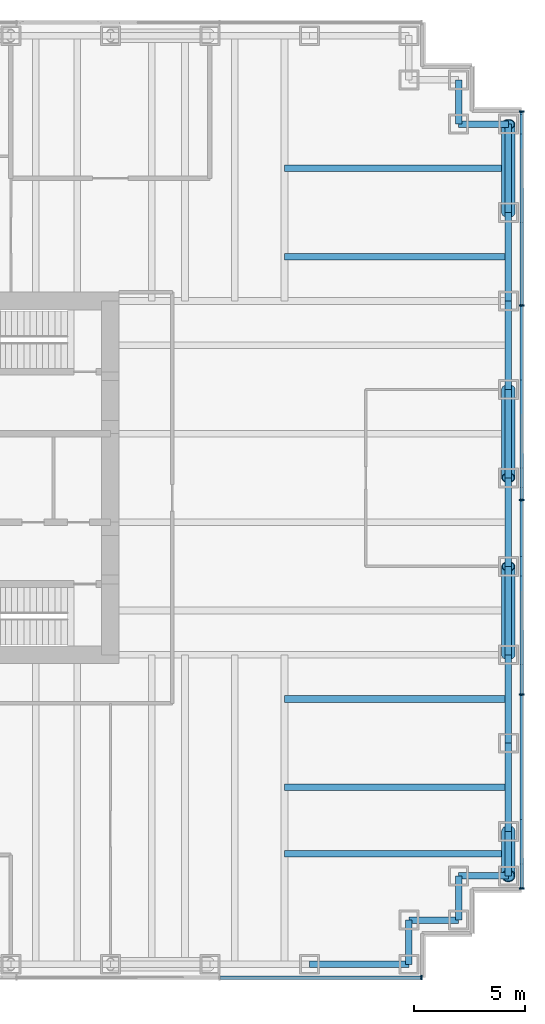
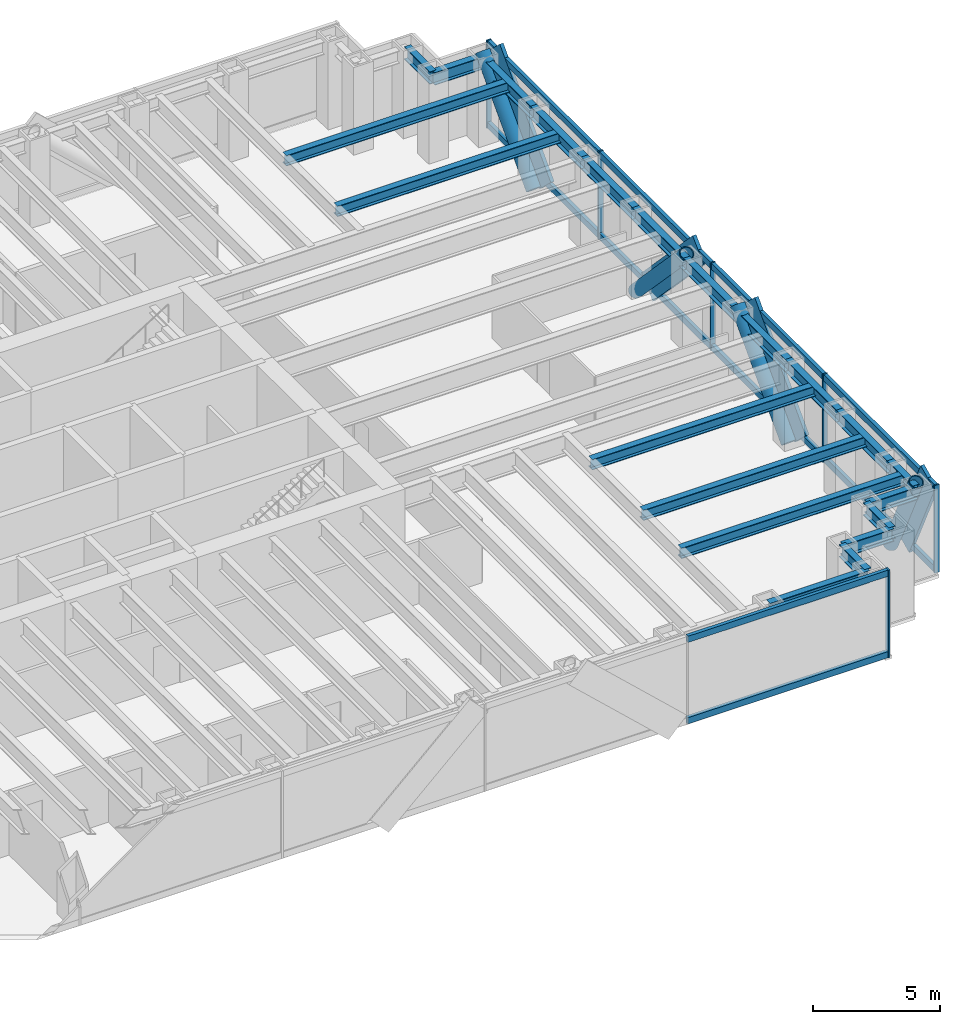
# One storey, part 7 of 14: 24 members, 21 beams, 2 elements without a shape of their own.
"""IFC4 building model written with IfcOpenShell, lengths in metres."""

import ifcopenshell
import ifcopenshell.guid

model = None  # the IFC model being written
_history = None  # IfcOwnerHistory: only IFC2X3 demands one
_inside = {}  # id of a spatial element -> (the spatial element, [elements in it])
_under = {}  # id of a project, library or spatial element -> (it, [spatial elements below it])
_declared = {}  # id of a project -> (the project, [libraries it declares])
_typed = {}  # id of a type object -> (the type object, [elements of that type])
_made_of = {}  # id of a material, layer set ... -> (it, [elements and type objects made of it])


def new_model(schema):
    """Start an empty IFC model of exactly this schema.

    Asked for "IFC4X3", IfcOpenShell would pick the latest addendum, in which some entities
    have other attributes; the version numbers below select the first issue.
    IFC2X3 requires an IfcOwnerHistory on every rooted entity: one is made here for all.
    """
    global model, _history
    if schema == "IFC4X3":
        model = ifcopenshell.file(schema_version=(4, 3, 0, 0))
    else:
        model = ifcopenshell.file(schema=schema)
    _inside.clear()
    _under.clear()
    _declared.clear()
    _typed.clear()
    _made_of.clear()
    _history = None
    if model.schema == "IFC2X3":
        org = make("IfcOrganization", Name="unknown")
        user = make(
            "IfcPersonAndOrganization",
            ThePerson=make("IfcPerson", FamilyName="unknown"),
            TheOrganization=org,
        )
        app = make(
            "IfcApplication",
            ApplicationDeveloper=org,
            Version="unknown",
            ApplicationFullName="unknown",
            ApplicationIdentifier="unknown",
        )
        _history = make(
            "IfcOwnerHistory",
            OwningUser=user,
            OwningApplication=app,
            ChangeAction="ADDED",
            CreationDate=0,
        )
    return model


def make(cls, **values):
    """One entity of the class cls with the attributes given. An attribute that is None is left unset."""
    return model.create_entity(
        cls, **{name: value for name, value in values.items() if value is not None}
    )


def rooted(cls, **values):
    """An entity with a GlobalId (a new one), such as an element, a storey or a relation."""
    return make(cls, GlobalId=ifcopenshell.guid.new(), OwnerHistory=_history, **values)


def si_unit(unit_type, name, prefix=None):
    """IfcSIUnit, for example si_unit("LENGTHUNIT", "METRE", prefix="MILLI")."""
    return make("IfcSIUnit", UnitType=unit_type, Prefix=prefix, Name=name)


def assignment(units):
    """IfcUnitAssignment: the units of a project."""
    return None if units is None else make("IfcUnitAssignment", Units=units)


def point(xyz):
    """IfcCartesianPoint."""
    return None if xyz is None else make("IfcCartesianPoint", Coordinates=xyz)


def direction(xyz):
    """IfcDirection."""
    return None if xyz is None else make("IfcDirection", DirectionRatios=xyz)


def frame(location, z_axis=None, x_axis=None):
    """IfcAxis2Placement3D, a coordinate frame: its origin and axes. An axis left out is left unset."""
    return make(
        "IfcAxis2Placement3D",
        Location=point(location),
        Axis=direction(z_axis),
        RefDirection=direction(x_axis),
    )


def frame_2d(location, x_axis=None):
    """IfcAxis2Placement2D, a coordinate frame in the plane: its origin and x axis."""
    return make(
        "IfcAxis2Placement2D", Location=point(location), RefDirection=direction(x_axis)
    )


def origin():
    """The frame at (0, 0, 0) with its axes left unset."""
    return frame((0.0, 0.0, 0.0))


def origin_2d():
    """The frame at (0, 0) in the plane with its x axis left unset."""
    return frame_2d((0.0, 0.0))


def place(relative_to, where):
    """IfcLocalPlacement: puts the frame where relative to a parent placement (None: the world)."""
    return make(
        "IfcLocalPlacement", PlacementRelTo=relative_to, RelativePlacement=where
    )


def context(
    kind, dimensions, precision=None, world=None, true_north=None, identifier=None
):
    """IfcGeometricRepresentationContext, for example the 3D "Model" context."""
    return make(
        "IfcGeometricRepresentationContext",
        ContextIdentifier=identifier,
        ContextType=kind,
        CoordinateSpaceDimension=dimensions,
        Precision=precision,
        WorldCoordinateSystem=world,
        TrueNorth=true_north,
    )


def subcontext(parent, identifier, kind, view, scale=None):
    """IfcGeometricRepresentationSubContext, for example "Body" below "Model"."""
    return make(
        "IfcGeometricRepresentationSubContext",
        ContextIdentifier=identifier,
        ContextType=kind,
        ParentContext=parent,
        TargetScale=scale,
        TargetView=view,
    )


def project(units=None, contexts=None):
    """IfcProject with its units and contexts."""
    return rooted(
        "IfcProject",
        Name="project",
        RepresentationContexts=contexts,
        UnitsInContext=assignment(units),
    )


def spatial(cls, under=None, at=None, **own):
    """A site, building, storey or space (cls), placed at a placement, below another one or the project."""
    s = rooted(cls, ObjectPlacement=at, **own)
    if under is not None:
        _under.setdefault(under.id(), (under, []))[1].append(s)
    return s


def profile(cls, at=None, kind="AREA", **sizes):
    """A parametric profile (cls). Its sizes go by their IFC names, for example OverallWidth=200.0."""
    return make(cls, ProfileType=kind, Position=at, **sizes)


def rectangle(**sizes):
    """IfcRectangleProfileDef."""
    return profile("IfcRectangleProfileDef", **sizes)


def hollow_circle(**sizes):
    """IfcCircleHollowProfileDef."""
    return profile("IfcCircleHollowProfileDef", **sizes)


def i_section(**sizes):
    """IfcIShapeProfileDef."""
    return profile("IfcIShapeProfileDef", **sizes)


def extrude(swept, where, along, depth):
    """IfcExtrudedAreaSolid: the profile swept, set in the frame where, extruded along a direction by depth."""
    return make(
        "IfcExtrudedAreaSolid",
        SweptArea=swept,
        Position=where,
        ExtrudedDirection=direction(along),
        Depth=depth,
    )


def shape(context_of_items, identifier, shape_type, items):
    """IfcShapeRepresentation: the items that make up one representation, for example the "Body"."""
    return make(
        "IfcShapeRepresentation",
        ContextOfItems=context_of_items,
        RepresentationIdentifier=identifier,
        RepresentationType=shape_type,
        Items=items,
    )


def material(Name=None, Category=None):
    """IfcMaterial."""
    return make("IfcMaterial", Name=Name, Category=Category)


def material_profile(
    of_material, cross_section, Name=None, Category=None, Priority=None
):
    """IfcMaterialProfile: a cross section and its material."""
    return make(
        "IfcMaterialProfile",
        Name=Name,
        Material=of_material,
        Profile=cross_section,
        Priority=Priority,
        Category=Category,
    )


def profile_set(profiles, Name=None, composite=None):
    """IfcMaterialProfileSet."""
    return make(
        "IfcMaterialProfileSet",
        Name=Name,
        MaterialProfiles=profiles,
        CompositeProfile=composite,
    )


def made_of(thing, what):
    """Note that an element or type object is made of a material, layer set ...; save() writes the relation."""
    if what is not None:
        _made_of.setdefault(what.id(), (what, []))[1].append(thing)
    return thing


def type_object(cls, material=None, **own):
    """A type object (cls), such as IfcWallType, which elements share."""
    return made_of(rooted(cls, **own), material)


def element(
    cls,
    number,
    at=None,
    inside=None,
    cuts=None,
    type_object=None,
    material=None,
    context=None,
    identifier="Body",
    shape_type=None,
    held_by="IfcProductDefinitionShape",
    body=None,
    shapes=None,
    **own,
):
    """One element of the class cls, such as IfcWall. Its Tag is "e" and its number.

    at: its placement. inside: the storey or other place that contains it. cuts: it is an
    opening in that element (IfcRelVoidsElement). A single representation is given by context,
    identifier, shape_type and body (its items); several are given by shapes. held_by: the class
    of the entity that holds the representations. save() writes the other relations.
    """
    e = rooted(cls, Tag="e%d" % number, ObjectPlacement=at, **own)
    if body is not None:
        shapes = [shape(context, identifier, shape_type, body)]
    if shapes is not None:
        e.Representation = make(held_by, Representations=shapes)
    if inside is not None:
        _inside.setdefault(inside.id(), (inside, []))[1].append(e)
    if cuts is not None:
        rooted(
            "IfcRelVoidsElement", RelatingBuildingElement=cuts, RelatedOpeningElement=e
        )
    if type_object is not None:
        _typed.setdefault(type_object.id(), (type_object, []))[1].append(e)
    return made_of(e, material)


def aggregate(whole, parts):
    """IfcRelAggregates: a whole, such as a stair, and the parts it consists of."""
    return rooted("IfcRelAggregates", RelatingObject=whole, RelatedObjects=parts)


def save(model, path):
    """Write the relations noted so far, then the file.

    IfcRelAggregates (storeys below a building ...), IfcRelContainedInSpatialStructure (elements
    in a storey), IfcRelDefinesByType, IfcRelAssociatesMaterial and IfcRelDeclares: one each for
    every whole, place, type object, material and project.
    """
    for whole, parts in _under.values():
        aggregate(whole, parts)
    for where, things in _inside.values():
        rooted(
            "IfcRelContainedInSpatialStructure",
            RelatedElements=things,
            RelatingStructure=where,
        )
    for kind, things in _typed.values():
        rooted("IfcRelDefinesByType", RelatedObjects=things, RelatingType=kind)
    for what, things in _made_of.values():
        rooted("IfcRelAssociatesMaterial", RelatedObjects=things, RelatingMaterial=what)
    for by, libraries in _declared.values():
        rooted("IfcRelDeclares", RelatingContext=by, RelatedDefinitions=libraries)
    model.write(path)


model = new_model("IFC4")

# Units and contexts
model_context = context("Model", 3, precision=1e-05, world=origin(), true_north=direction((0.0, 1.0)))
body_context = subcontext(model_context, "Body", "Model", "MODEL_VIEW")
ifc_project = project(units=[si_unit("LENGTHUNIT", "METRE"), si_unit("AREAUNIT", "SQUARE_METRE"), si_unit("VOLUMEUNIT", "CUBIC_METRE"), si_unit("PLANEANGLEUNIT", "RADIAN"), si_unit("MASSUNIT", "GRAM", prefix="KILO")], contexts=[model_context])

# Site, building, storey
site_placement = place(None, origin())
site = spatial("IfcSite", under=ifc_project, at=site_placement, CompositionType="ELEMENT")
building_placement = place(site_placement, origin())
building = spatial("IfcBuilding", under=site, at=building_placement, Name="Rheinbord Bourse Tower", CompositionType="ELEMENT")
storey_placement = place(building_placement, frame((0.0, 0.0, 194.199951171875)))
storey = spatial("IfcBuildingStorey", under=building, at=storey_placement, Name="L43", CompositionType="ELEMENT", Elevation=194.199951171875)

# Curtain wall, members
ifc_material_1 = material(Name="Dark glass and black aluminium", Category="aluminium")
curtain_wall_type = type_object("IfcCurtainWallType", Name="CW2 DARK GLASS CURTAIN WALL", PredefinedType="USERDEFINED", material=ifc_material_1)
curtain_wall_1_placement = place(storey_placement, origin())
curtain_wall_1 = element("IfcCurtainWall", 1, at=curtain_wall_1_placement, inside=storey, type_object=curtain_wall_type, Name="Curtain wall CW2 E L43", ObjectType="UNITISED CURTAIN WALL", PredefinedType="USERDEFINED")
ifc_material_2 = material(Name="Black anodised aluminium", Category="aluminium")
ifc_material_profile_1 = material_profile(ifc_material_2, rectangle(XDim=0.159912109375, YDim=1.2099609375, at=origin_2d()), Name="CW2 DIAGONAL MULLION 1210x160")
ifc_profile_set_1 = profile_set([ifc_material_profile_1], Name="Black anodised aluminium")
member_type_1 = type_object("IfcMemberType", Name="CW2 BLACK DIAGONAL MULLION", PredefinedType="USERDEFINED", material=ifc_profile_set_1)
member_1_placement = place(storey_placement, frame((72.60009765625, 36.0, 0.0), z_axis=(0.0, 0.689659376744, 0.724133926887), x_axis=(-1.0, 0.0, 0.0)))
member_1 = element("IfcMember", 2, at=member_1_placement, type_object=member_type_1, Name="CW2 diagonal mullion a", ObjectType="DIAGONAL MULLION", PredefinedType="USERDEFINED", context=body_context, shape_type="SweptSolid", body=[
    extrude(rectangle(XDim=0.159912109375, YDim=1.2099609375, at=origin_2d()), origin(), (0.0, 0.0, 1.0), 5.800048828125),
])
member_2_placement = place(storey_placement, frame((72.60009765625, 8.0, 0.0), z_axis=(0.0, -0.429937654825, 0.902858578607), x_axis=(1.0, 0.0, 0.0)))
member_2 = element("IfcMember", 3, at=member_2_placement, type_object=member_type_1, Name="CW2 diagonal mullion b", ObjectType="DIAGONAL MULLION", PredefinedType="USERDEFINED", context=body_context, shape_type="SweptSolid", body=[
    extrude(rectangle(XDim=0.159912109375, YDim=1.2099609375, at=origin_2d()), origin(), (0.0, 0.0, 1.0), 4.65185546875),
])
member_3_placement = place(storey_placement, frame((72.60009765625, 28.0, 0.0), z_axis=(0.0, -0.689659376744, 0.724133926887), x_axis=(1.0, 0.0, 0.0)))
member_3 = element("IfcMember", 4, at=member_3_placement, type_object=member_type_1, Name="CW2 diagonal mullion c", ObjectType="DIAGONAL MULLION", PredefinedType="USERDEFINED", context=body_context, shape_type="SweptSolid", body=[
    extrude(rectangle(XDim=0.159912109375, YDim=1.2099609375, at=origin_2d()), origin(), (0.0, 0.0, 1.0), 5.800048828125),
])
member_4_placement = place(storey_placement, frame((72.60009765625, 16.0, 0.0), z_axis=(0.0, 0.689659376744, 0.724133926887), x_axis=(-1.0, 0.0, 0.0)))
member_4 = element("IfcMember", 5, at=member_4_placement, type_object=member_type_1, Name="CW2 diagonal mullion d", ObjectType="DIAGONAL MULLION", PredefinedType="USERDEFINED", context=body_context, shape_type="SweptSolid", body=[
    extrude(rectangle(XDim=0.159912109375, YDim=1.2099609375, at=origin_2d()), origin(), (0.0, 0.0, 1.0), 5.800048828125),
])

# Curtain wall, member
curtain_wall_2_placement = place(storey_placement, origin())
curtain_wall_2 = element("IfcCurtainWall", 6, at=curtain_wall_2_placement, inside=storey, type_object=curtain_wall_type, Name="Curtain wall CW2 S L43", ObjectType="UNITISED CURTAIN WALL", PredefinedType="USERDEFINED")
ifc_material_3 = material(Name="Black anodised aluminium", Category="aluminium")
ifc_material_profile_2 = material_profile(ifc_material_3, rectangle(XDim=0.219970703125, YDim=0.070068359375, at=origin_2d()), Name="CW2 MULLION 70x220")
ifc_profile_set_2 = profile_set([ifc_material_profile_2], Name="Black anodised aluminium")
member_type_2 = type_object("IfcMemberType", Name="CW2 BLACK MULLION", PredefinedType="MULLION", material=ifc_profile_set_2)
member_5_placement = place(storey_placement, frame((68.06494140625, 1.39990234375, 0.0), z_axis=(0.0, 0.0, 1.0), x_axis=(0.0, 1.0, 0.0)))
member_5 = element("IfcMember", 7, at=member_5_placement, type_object=member_type_2, Name="CW2 mullion 8", PredefinedType="MULLION", context=body_context, shape_type="SweptSolid", body=[
    extrude(rectangle(XDim=0.219970703125, YDim=0.070068359375, at=origin_2d()), origin(), (0.0, 0.0, 1.0), 4.199951171875),
])

# Member
member_6_placement = place(storey_placement, frame((72.60009765625, 5.43505859375, 0.0), z_axis=(0.0, 0.0, 1.0), x_axis=(-1.0, 0.0, 0.0)))
member_6 = element("IfcMember", 8, at=member_6_placement, type_object=member_type_2, Name="CW2 mullion 1", PredefinedType="MULLION", context=body_context, shape_type="SweptSolid", body=[
    extrude(rectangle(XDim=0.219970703125, YDim=0.070068359375, at=origin_2d()), origin(), (0.0, 0.0, 1.0), 4.199951171875),
])

member_7_placement = place(storey_placement, frame((72.60009765625, 14.199951171875, 0.0), z_axis=(0.0, 0.0, 1.0), x_axis=(-1.0, 0.0, 0.0)))
member_7 = element("IfcMember", 9, at=member_7_placement, type_object=member_type_2, Name="CW2 mullion 2", PredefinedType="MULLION", context=body_context, shape_type="SweptSolid", body=[
    extrude(rectangle(XDim=0.219970703125, YDim=0.070068359375, at=origin_2d()), origin(), (0.0, 0.0, 1.0), 4.199951171875),
])

member_8_placement = place(storey_placement, frame((72.60009765625, 23.0, 0.0), z_axis=(0.0, 0.0, 1.0), x_axis=(-1.0, 0.0, 0.0)))
member_8 = element("IfcMember", 10, at=member_8_placement, type_object=member_type_2, Name="CW2 mullion 3", PredefinedType="MULLION", context=body_context, shape_type="SweptSolid", body=[
    extrude(rectangle(XDim=0.219970703125, YDim=0.070068359375, at=origin_2d()), origin(), (0.0, 0.0, 1.0), 4.199951171875),
])

member_9_placement = place(storey_placement, frame((72.60009765625, 31.800048828125, 0.0), z_axis=(0.0, 0.0, 1.0), x_axis=(-1.0, 0.0, 0.0)))
member_9 = element("IfcMember", 11, at=member_9_placement, type_object=member_type_2, Name="CW2 mullion 4", PredefinedType="MULLION", context=body_context, shape_type="SweptSolid", body=[
    extrude(rectangle(XDim=0.219970703125, YDim=0.070068359375, at=origin_2d()), origin(), (0.0, 0.0, 1.0), 4.199951171875),
])

member_10_placement = place(storey_placement, frame((72.60009765625, 40.56494140625, 0.0), z_axis=(0.0, 0.0, 1.0), x_axis=(-1.0, 0.0, 0.0)))
member_10 = element("IfcMember", 12, at=member_10_placement, type_object=member_type_2, Name="CW2 mullion 5", PredefinedType="MULLION", context=body_context, shape_type="SweptSolid", body=[
    extrude(rectangle(XDim=0.219970703125, YDim=0.070068359375, at=origin_2d()), origin(), (0.0, 0.0, 1.0), 4.199951171875),
])

ifc_material_4 = material(Name="Black anodised aluminium", Category="aluminium")
ifc_material_profile_3 = material_profile(ifc_material_4, rectangle(XDim=0.159912109375, YDim=0.300048828125, at=origin_2d()), Name="CW2 TRANSOM 300x160")
ifc_profile_set_3 = profile_set([ifc_material_profile_3], Name="Black anodised aluminium")
member_type_3 = type_object("IfcMemberType", Name="CW2 BLACK TRANSOM", PredefinedType="USERDEFINED", material=ifc_profile_set_3)
member_11_placement = place(storey_placement, frame((58.963623046875, 1.39990234375, 0.150146484375), z_axis=(1.0, 0.0, 0.0), x_axis=(0.0, 1.0, 0.0)))
member_11 = element("IfcMember", 13, at=member_11_placement, type_object=member_type_3, Name="CW2 transom 7.1", ObjectType="TRANSOM", PredefinedType="USERDEFINED", context=body_context, shape_type="SweptSolid", body=[
    extrude(rectangle(XDim=0.159912109375, YDim=0.300048828125, at=origin_2d()), origin(), (0.0, 0.0, 1.0), 9.06640625),
])

member_12_placement = place(storey_placement, frame((58.963623046875, 1.39990234375, 4.050048828125), z_axis=(1.0, 0.0, 0.0), x_axis=(0.0, 1.0, 0.0)))
member_12 = element("IfcMember", 14, at=member_12_placement, type_object=member_type_3, Name="CW2 transom 7.2", ObjectType="TRANSOM", PredefinedType="USERDEFINED", context=body_context, shape_type="SweptSolid", body=[
    extrude(rectangle(XDim=0.159912109375, YDim=0.300048828125, at=origin_2d()), origin(), (0.0, 0.0, 1.0), 9.06640625),
])

aggregate(curtain_wall_2, [member_5, member_11, member_12])

member_13_placement = place(storey_placement, frame((72.60009765625, 5.469970703125, 0.150146484375), z_axis=(0.0, 1.0, 0.0), x_axis=(-1.0, 0.0, 0.0)))
member_13 = element("IfcMember", 15, at=member_13_placement, type_object=member_type_3, Name="CW2 transom 1.1", ObjectType="TRANSOM", PredefinedType="USERDEFINED", context=body_context, shape_type="SweptSolid", body=[
    extrude(rectangle(XDim=0.159912109375, YDim=0.300048828125, at=origin_2d()), origin(), (0.0, 0.0, 1.0), 8.695068359375),
])

member_14_placement = place(storey_placement, frame((72.60009765625, 5.469970703125, 4.050048828125), z_axis=(0.0, 1.0, 0.0), x_axis=(-1.0, 0.0, 0.0)))
member_14 = element("IfcMember", 16, at=member_14_placement, type_object=member_type_3, Name="CW2 transom 1.2", ObjectType="TRANSOM", PredefinedType="USERDEFINED", context=body_context, shape_type="SweptSolid", body=[
    extrude(rectangle(XDim=0.159912109375, YDim=0.300048828125, at=origin_2d()), origin(), (0.0, 0.0, 1.0), 8.695068359375),
])

member_15_placement = place(storey_placement, frame((72.60009765625, 14.235107421875, 0.150146484375), z_axis=(0.0, 1.0, 0.0), x_axis=(-1.0, 0.0, 0.0)))
member_15 = element("IfcMember", 17, at=member_15_placement, type_object=member_type_3, Name="CW2 transom 2.1", ObjectType="TRANSOM", PredefinedType="USERDEFINED", context=body_context, shape_type="SweptSolid", body=[
    extrude(rectangle(XDim=0.159912109375, YDim=0.300048828125, at=origin_2d()), origin(), (0.0, 0.0, 1.0), 8.72998046875),
])

member_16_placement = place(storey_placement, frame((72.60009765625, 14.235107421875, 4.050048828125), z_axis=(0.0, 1.0, 0.0), x_axis=(-1.0, 0.0, 0.0)))
member_16 = element("IfcMember", 18, at=member_16_placement, type_object=member_type_3, Name="CW2 transom 2.2", ObjectType="TRANSOM", PredefinedType="USERDEFINED", context=body_context, shape_type="SweptSolid", body=[
    extrude(rectangle(XDim=0.159912109375, YDim=0.300048828125, at=origin_2d()), origin(), (0.0, 0.0, 1.0), 8.72998046875),
])

member_17_placement = place(storey_placement, frame((72.60009765625, 23.034912109375, 0.150146484375), z_axis=(0.0, 1.0, 0.0), x_axis=(-1.0, 0.0, 0.0)))
member_17 = element("IfcMember", 19, at=member_17_placement, type_object=member_type_3, Name="CW2 transom 3.1", ObjectType="TRANSOM", PredefinedType="USERDEFINED", context=body_context, shape_type="SweptSolid", body=[
    extrude(rectangle(XDim=0.159912109375, YDim=0.300048828125, at=origin_2d()), origin(), (0.0, 0.0, 1.0), 8.72998046875),
])

member_18_placement = place(storey_placement, frame((72.60009765625, 23.034912109375, 4.050048828125), z_axis=(0.0, 1.0, 0.0), x_axis=(-1.0, 0.0, 0.0)))
member_18 = element("IfcMember", 20, at=member_18_placement, type_object=member_type_3, Name="CW2 transom 3.2", ObjectType="TRANSOM", PredefinedType="USERDEFINED", context=body_context, shape_type="SweptSolid", body=[
    extrude(rectangle(XDim=0.159912109375, YDim=0.300048828125, at=origin_2d()), origin(), (0.0, 0.0, 1.0), 8.72998046875),
])

member_19_placement = place(storey_placement, frame((72.60009765625, 31.8349609375, 0.150146484375), z_axis=(0.0, 1.0, 0.0), x_axis=(-1.0, 0.0, 0.0)))
member_19 = element("IfcMember", 21, at=member_19_placement, type_object=member_type_3, Name="CW2 transom 4.1", ObjectType="TRANSOM", PredefinedType="USERDEFINED", context=body_context, shape_type="SweptSolid", body=[
    extrude(rectangle(XDim=0.159912109375, YDim=0.300048828125, at=origin_2d()), origin(), (0.0, 0.0, 1.0), 8.695068359375),
])

member_20_placement = place(storey_placement, frame((72.60009765625, 31.8349609375, 4.050048828125), z_axis=(0.0, 1.0, 0.0), x_axis=(-1.0, 0.0, 0.0)))
member_20 = element("IfcMember", 22, at=member_20_placement, type_object=member_type_3, Name="CW2 transom 4.2", ObjectType="TRANSOM", PredefinedType="USERDEFINED", context=body_context, shape_type="SweptSolid", body=[
    extrude(rectangle(XDim=0.159912109375, YDim=0.300048828125, at=origin_2d()), origin(), (0.0, 0.0, 1.0), 8.695068359375),
])

aggregate(curtain_wall_1, [member_6, member_7, member_8, member_9, member_10, member_13, member_14, member_15, member_16, member_17, member_18, member_19, member_20, member_1, member_2, member_3, member_4])

# Members
ifc_material_5 = material(Name="Steel S460", Category="steel")
ifc_material_profile_4 = material_profile(ifc_material_5, hollow_circle(Radius=0.304931640625, WallThickness=0.0400390625, at=origin_2d()), Name="CHS 610x40")
ifc_profile_set_4 = profile_set([ifc_material_profile_4], Name="Steel S460")
member_type_4 = type_object("IfcMemberType", Name="MEGABRACE CHS 610x40", PredefinedType="BRACE", material=ifc_profile_set_4)
member_21_placement = place(storey_placement, frame((72.0, 36.0, 0.0), z_axis=(0.0, 0.689659376744, 0.724133926887), x_axis=(-1.0, 0.0, 0.0)))
element("IfcMember", 23, at=member_21_placement, inside=storey, type_object=member_type_4, Name="Megabrace E face line a L43", PredefinedType="BRACE", context=body_context, shape_type="SweptSolid", body=[
    extrude(hollow_circle(Radius=0.304931640625, WallThickness=0.0400390625, at=origin_2d()), origin(), (0.0, 0.0, 1.0), 5.800048828125),
])
member_22_placement = place(storey_placement, frame((72.0, 8.0, 0.0), z_axis=(0.0, -0.429937654825, 0.902858578607), x_axis=(1.0, 0.0, 0.0)))
element("IfcMember", 24, at=member_22_placement, inside=storey, type_object=member_type_4, Name="Megabrace E face line b L43", PredefinedType="BRACE", context=body_context, shape_type="SweptSolid", body=[
    extrude(hollow_circle(Radius=0.304931640625, WallThickness=0.0400390625, at=origin_2d()), origin(), (0.0, 0.0, 1.0), 4.65185546875),
])
for number, where, z_axis, x_axis, name in (
    (25, (72.0, 28.0, 0.0), (0.0, -0.689659376744, 0.724133926887), (1.0, 0.0, 0.0), "Megabrace E face line c L43"),
    (26, (72.0, 16.0, 0.0), (0.0, 0.689659376744, 0.724133926887), (-1.0, 0.0, 0.0), "Megabrace E face line d L43"),
):
    element("IfcMember", number, at=place(storey_placement, frame(where, z_axis=z_axis, x_axis=x_axis)), inside=storey, type_object=member_type_4, Name=name, PredefinedType="BRACE", context=body_context, shape_type="SweptSolid", body=[
        extrude(hollow_circle(Radius=0.304931640625, WallThickness=0.0400390625, at=origin_2d()), origin(), (0.0, 0.0, 1.0), 5.800048828125),
    ])

# Beams
ifc_material_6 = material(Name="Steel S460", Category="steel")
ifc_material_profile_5 = material_profile(ifc_material_6, i_section(OverallWidth=0.300048828125, OverallDepth=0.60009765625, WebThickness=0.015380859375, FlangeThickness=0.030029296875, at=origin_2d()), Name="HEB 600")
ifc_profile_set_5 = profile_set([ifc_material_profile_5], Name="Steel S460")
beam_type_1 = type_object("IfcBeamType", Name="SPANDREL HEB 600", PredefinedType="SPANDREL", material=ifc_profile_set_5)
beam_1_placement = place(storey_placement, frame((63.0, 2.0, 3.739990234375), z_axis=(1.0, 0.0, 0.0), x_axis=(0.0, 1.0, 0.0)))
element("IfcBeam", 27, at=beam_1_placement, inside=storey, type_object=beam_type_1, Name="Spandrel S-63-SE-E under L44", PredefinedType="SPANDREL", context=body_context, shape_type="SweptSolid", body=[
    extrude(i_section(OverallWidth=0.300048828125, OverallDepth=0.60009765625, WebThickness=0.015380859375, FlangeThickness=0.030029296875, at=origin_2d()), origin(), (0.0, 0.0, 1.0), 4.5),
])
beam_2_placement = place(storey_placement, frame((67.5, 2.0, 3.739990234375), z_axis=(0.0, 1.0, 0.0), x_axis=(-1.0, 0.0, 0.0)))
element("IfcBeam", 28, at=beam_2_placement, inside=storey, type_object=beam_type_1, Name="Spandrel SE-E-SE-D under L44", PredefinedType="SPANDREL", context=body_context, shape_type="SweptSolid", body=[
    extrude(i_section(OverallWidth=0.300048828125, OverallDepth=0.60009765625, WebThickness=0.015380859375, FlangeThickness=0.030029296875, at=origin_2d()), origin(), (0.0, 0.0, 1.0), 2.0),
])
beam_3_placement = place(storey_placement, frame((67.5, 4.0, 3.739990234375), z_axis=(1.0, 0.0, 0.0), x_axis=(0.0, 1.0, 0.0)))
element("IfcBeam", 29, at=beam_3_placement, inside=storey, type_object=beam_type_1, Name="Spandrel SE-D-SE-C under L44", PredefinedType="SPANDREL", context=body_context, shape_type="SweptSolid", body=[
    extrude(i_section(OverallWidth=0.300048828125, OverallDepth=0.60009765625, WebThickness=0.015380859375, FlangeThickness=0.030029296875, at=origin_2d()), origin(), (0.0, 0.0, 1.0), 2.25),
])
beam_4_placement = place(storey_placement, frame((69.75, 4.0, 3.739990234375), z_axis=(0.0, 1.0, 0.0), x_axis=(-1.0, 0.0, 0.0)))
element("IfcBeam", 30, at=beam_4_placement, inside=storey, type_object=beam_type_1, Name="Spandrel SE-C-SE-B under L44", PredefinedType="SPANDREL", context=body_context, shape_type="SweptSolid", body=[
    extrude(i_section(OverallWidth=0.300048828125, OverallDepth=0.60009765625, WebThickness=0.015380859375, FlangeThickness=0.030029296875, at=origin_2d()), origin(), (0.0, 0.0, 1.0), 2.0),
])
beam_5_placement = place(storey_placement, frame((69.75, 6.0, 3.739990234375), z_axis=(1.0, 0.0, 0.0), x_axis=(0.0, 1.0, 0.0)))
element("IfcBeam", 31, at=beam_5_placement, inside=storey, type_object=beam_type_1, Name="Spandrel SE-B-SE-A under L44", PredefinedType="SPANDREL", context=body_context, shape_type="SweptSolid", body=[
    extrude(i_section(OverallWidth=0.300048828125, OverallDepth=0.60009765625, WebThickness=0.015380859375, FlangeThickness=0.030029296875, at=origin_2d()), origin(), (0.0, 0.0, 1.0), 2.25),
])
beam_6_placement = place(storey_placement, frame((72.0, 6.0, 3.739990234375), z_axis=(0.0, 1.0, 0.0), x_axis=(-1.0, 0.0, 0.0)))
element("IfcBeam", 32, at=beam_6_placement, inside=storey, type_object=beam_type_1, Name="Spandrel SE-A-E-8 under L44", PredefinedType="SPANDREL", context=body_context, shape_type="SweptSolid", body=[
    extrude(i_section(OverallWidth=0.300048828125, OverallDepth=0.60009765625, WebThickness=0.015380859375, FlangeThickness=0.030029296875, at=origin_2d()), origin(), (0.0, 0.0, 1.0), 2.0),
])
for number, where, z_axis, x_axis, name in (
    (33, (72.0, 8.0, 3.739990234375), (0.0, 1.0, 0.0), (-1.0, 0.0, 0.0), "Spandrel E-8-E-12 under L44"),
    (34, (72.0, 12.0, 3.739990234375), (0.0, 1.0, 0.0), (-1.0, 0.0, 0.0), "Spandrel E-12-E-16 under L44"),
    (35, (72.0, 16.0, 3.739990234375), (0.0, 1.0, 0.0), (-1.0, 0.0, 0.0), "Spandrel E-16-E-20 under L44"),
    (36, (72.0, 20.0, 3.739990234375), (0.0, 1.0, 0.0), (-1.0, 0.0, 0.0), "Spandrel E-20-E-24 under L44"),
    (37, (72.0, 24.0, 3.739990234375), (0.0, 1.0, 0.0), (-1.0, 0.0, 0.0), "Spandrel E-24-E-28 under L44"),
    (38, (72.0, 28.0, 3.739990234375), (0.0, 1.0, 0.0), (-1.0, 0.0, 0.0), "Spandrel E-28-E-32 under L44"),
    (39, (72.0, 32.0, 3.739990234375), (0.0, 1.0, 0.0), (-1.0, 0.0, 0.0), "Spandrel E-32-E-36 under L44"),
    (40, (72.0, 36.0, 3.739990234375), (0.0, 1.0, 0.0), (-1.0, 0.0, 0.0), "Spandrel E-36-NE-A under L44"),
):
    element("IfcBeam", number, at=place(storey_placement, frame(where, z_axis=z_axis, x_axis=x_axis)), inside=storey, type_object=beam_type_1, Name=name, PredefinedType="SPANDREL", context=body_context, shape_type="SweptSolid", body=[
        extrude(i_section(OverallWidth=0.300048828125, OverallDepth=0.60009765625, WebThickness=0.015380859375, FlangeThickness=0.030029296875, at=origin_2d()), origin(), (0.0, 0.0, 1.0), 4.0),
    ])
beam_7_placement = place(storey_placement, frame((72.0, 40.0, 3.739990234375), z_axis=(-1.0, 0.0, 0.0), x_axis=(0.0, -1.0, 0.0)))
element("IfcBeam", 41, at=beam_7_placement, inside=storey, type_object=beam_type_1, Name="Spandrel NE-A-NE-B under L44", PredefinedType="SPANDREL", context=body_context, shape_type="SweptSolid", body=[
    extrude(i_section(OverallWidth=0.300048828125, OverallDepth=0.60009765625, WebThickness=0.015380859375, FlangeThickness=0.030029296875, at=origin_2d()), origin(), (0.0, 0.0, 1.0), 2.25),
])
beam_8_placement = place(storey_placement, frame((69.75, 40.0, 3.739990234375), z_axis=(0.0, 1.0, 0.0), x_axis=(-1.0, 0.0, 0.0)))
element("IfcBeam", 42, at=beam_8_placement, inside=storey, type_object=beam_type_1, Name="Spandrel NE-B-NE-C under L44", PredefinedType="SPANDREL", context=body_context, shape_type="SweptSolid", body=[
    extrude(i_section(OverallWidth=0.300048828125, OverallDepth=0.60009765625, WebThickness=0.015380859375, FlangeThickness=0.030029296875, at=origin_2d()), origin(), (0.0, 0.0, 1.0), 2.0),
])
ifc_material_7 = material(Name="Steel S460", Category="steel")
ifc_material_profile_6 = material_profile(ifc_material_7, i_section(OverallWidth=0.300048828125, OverallDepth=0.5, WebThickness=0.014404296875, FlangeThickness=0.028076171875, at=origin_2d()), Name="HEB 500")
ifc_profile_set_6 = profile_set([ifc_material_profile_6], Name="Steel S460")
beam_type_2 = type_object("IfcBeamType", Name="TIE BEAM HEB 500", PredefinedType="JOIST", material=ifc_profile_set_6)
for number, where, z_axis, x_axis, name in (
    (43, (61.875, 7.0, 3.7900390625), (1.0, 0.0, 0.0), (0.0, 1.0, 0.0), "Tie east 7 L44"),
    (44, (61.875, 10.0, 3.7900390625), (1.0, 0.0, 0.0), (0.0, 1.0, 0.0), "Tie east 10 L44"),
    (45, (61.875, 14.0, 3.7900390625), (1.0, 0.0, 0.0), (0.0, 1.0, 0.0), "Tie east 14 L44"),
    (46, (61.875, 34.0, 3.7900390625), (1.0, 0.0, 0.0), (0.0, 1.0, 0.0), "Tie east 34 L44"),
    (47, (61.875, 38.0, 3.7900390625), (1.0, 0.0, 0.0), (0.0, 1.0, 0.0), "Tie east 38 L44"),
):
    element("IfcBeam", number, at=place(storey_placement, frame(where, z_axis=z_axis, x_axis=x_axis)), inside=storey, type_object=beam_type_2, Name=name, PredefinedType="JOIST", context=body_context, shape_type="SweptSolid", body=[
        extrude(i_section(OverallWidth=0.300048828125, OverallDepth=0.5, WebThickness=0.014404296875, FlangeThickness=0.028076171875, at=origin_2d()), origin(), (0.0, 0.0, 1.0), 10.125),
    ])

save(model, "model.ifc")
